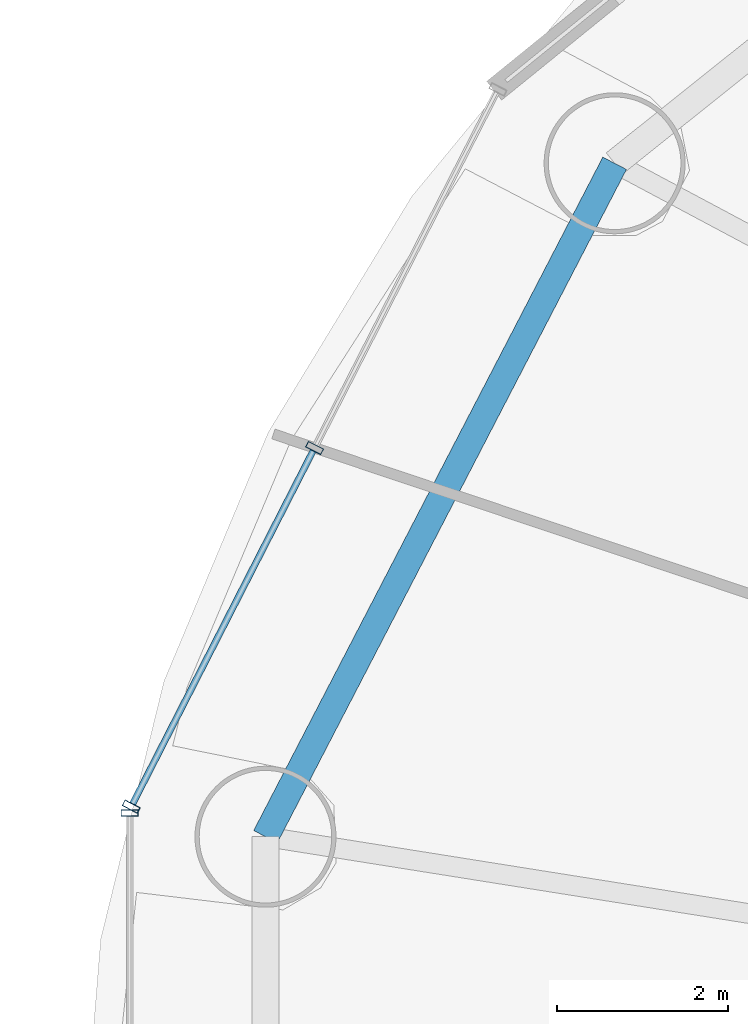
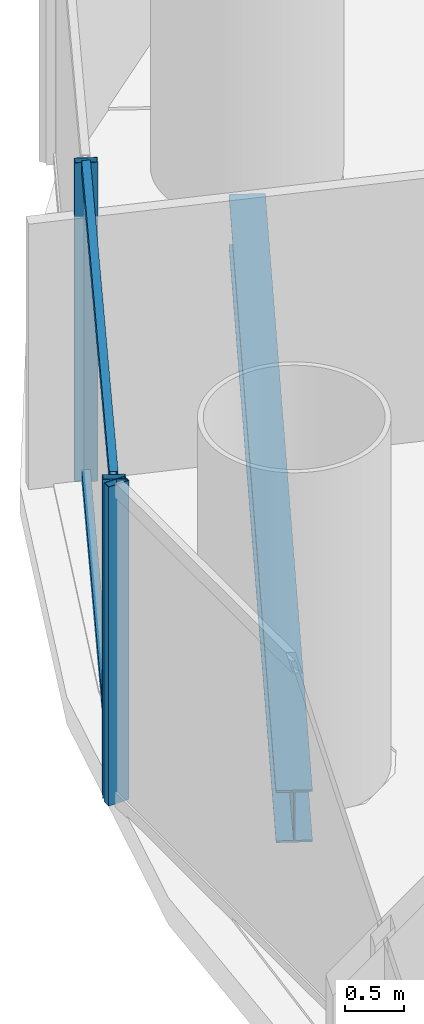
# One storey, part 9 of 30: 5 members, 1 beam, 2 elements without a shape of their own.
"""IFC4 building model written with IfcOpenShell, lengths in metres."""

from ifc_helpers import new_model, si_unit, direction, frame, origin, origin_2d, place, context, subcontext, project, spatial, hollow_rectangle, i_section, extrude, source, transform, mapped, material, material_profile, profile_set, type_object, element, aggregate, save


model = new_model("IFC4")

# Units and contexts
model_context = context("Model", 3, precision=1e-05, world=origin(), true_north=direction((-0.2419218956, 0.970295726276)))
body_context = subcontext(model_context, "Body", "Model", "MODEL_VIEW")
ifc_project = project(units=[si_unit("LENGTHUNIT", "METRE"), si_unit("AREAUNIT", "SQUARE_METRE"), si_unit("VOLUMEUNIT", "CUBIC_METRE"), si_unit("PLANEANGLEUNIT", "RADIAN"), si_unit("MASSUNIT", "GRAM", prefix="KILO")], contexts=[model_context])

# Site, building, storey
site_placement = place(None, origin())
site = spatial("IfcSite", under=ifc_project, at=site_placement, CompositionType="ELEMENT")
building_placement = place(site_placement, origin())
building = spatial("IfcBuilding", under=site, at=building_placement, Name="Cobrevalo Terracotta Tower", CompositionType="ELEMENT")
storey_placement = place(building_placement, frame((0.0, 0.0, 63.60009765625)))
storey = spatial("IfcBuildingStorey", under=building, at=storey_placement, Name="L16", CompositionType="ELEMENT", Elevation=63.60009765625)

# Beam
ifc_material_1 = material(Name="Steel S355", Category="steel")
ifc_material_profile_1 = material_profile(ifc_material_1, i_section(OverallWidth=0.31201171875, OverallDepth=0.54296875, WebThickness=0.0126953125, FlangeThickness=0.020263671875, at=origin_2d()), Name="W 530x150")
ifc_profile_set_1 = profile_set([ifc_material_profile_1], Name="Steel S355")
beam_type = type_object("IfcBeamType", Name="Structural Spandrel W 530x150 (Steel S355)", PredefinedType="SPANDREL", material=ifc_profile_set_1)
beam_placement = place(storey_placement, frame((15.25927734375, 38.939208984375, -0.551513671875), z_axis=(-0.460285838799, -0.88777077368, 0.0), x_axis=(0.88777077368, -0.460285838799, 0.0)))
element("IfcBeam", 1, at=beam_placement, inside=storey, type_object=beam_type, Name="L16 perimeter ring spandrel 07", PredefinedType="SPANDREL", context=body_context, shape_type="SweptSolid", body=[
    extrude(i_section(OverallWidth=0.31201171875, OverallDepth=0.54296875, WebThickness=0.0126953125, FlangeThickness=0.020263671875, at=origin_2d()), origin(), (0.0, 0.0, 1.0), 8.8720703125),
])

# Curtain wall, members
ifc_material_2 = material(Name="Anodized aluminium", Category="aluminium")
curtain_wall_type = type_object("IfcCurtainWallType", Name="Lower-tower unitised acoustic low-E curtain wall CW-U1", PredefinedType="NOTDEFINED", material=ifc_material_2)
curtain_wall_1_placement = place(storey_placement, origin())
curtain_wall_1 = element("IfcCurtainWall", 2, at=curtain_wall_1_placement, inside=storey, type_object=curtain_wall_type, Name="L16 curtain wall CW-L16-S07", PredefinedType="NOTDEFINED")
ifc_material_profile_2 = material_profile(ifc_material_2, hollow_rectangle(XDim=0.074951171875, YDim=0.199951171875, WallThickness=0.0048828125, at=origin_2d()), Name="CWM 75x200")
ifc_profile_set_2 = profile_set([ifc_material_profile_2], Name="Anodized aluminium")
member_type_1 = type_object("IfcMemberType", Name="Lower/mid tower unitised mullion 75x200", PredefinedType="MULLION", material=ifc_profile_set_2)
shared_shape_1 = source(origin(), body_context, "Body", "SweptSolid", [
    extrude(hollow_rectangle(XDim=0.074951171875, YDim=0.199951171875, WallThickness=0.0048828125, at=origin_2d()), origin(), (0.0, 0.0, 1.0), 3.31982421875),
])
member_1_placement = place(storey_placement, frame((11.74951171875, 35.60888671875, 0.0), z_axis=(0.0, 0.0, 1.0), x_axis=(-0.455234136597, -0.890371765543, 0.0)))
member_1 = element("IfcMember", 3, at=member_1_placement, type_object=member_type_1, Name="CW-L16-S07 vertical mullion 02", PredefinedType="MULLION", context=body_context, shape_type="MappedRepresentation", body=[
    mapped(shared_shape_1, transform((0.0, 0.0, 0.0), scale=1.0)),
])
member_2_placement = place(storey_placement, frame((9.60498046875, 31.414306640625, 0.0), z_axis=(0.0, 0.0, 1.0), x_axis=(-0.455234136597, -0.890371765543, 0.0)))
member_2 = element("IfcMember", 4, at=member_2_placement, type_object=member_type_1, Name="CW-L16-S07 vertical mullion 03", PredefinedType="MULLION", context=body_context, shape_type="MappedRepresentation", body=[
    mapped(shared_shape_1, transform((0.0, 0.0, 0.0), scale=1.0)),
])

# Curtain wall, member
curtain_wall_2_placement = place(storey_placement, origin())
curtain_wall_2 = element("IfcCurtainWall", 5, at=curtain_wall_2_placement, inside=storey, type_object=curtain_wall_type, Name="L16 curtain wall CW-L16-S08", PredefinedType="NOTDEFINED")
member_3_placement = place(storey_placement, frame((9.586669921875, 31.3388671875, 0.0), z_axis=(0.0, 0.0, 1.0), x_axis=(0.0, -1.0, 0.0)))
member_3 = element("IfcMember", 6, at=member_3_placement, type_object=member_type_1, Name="CW-L16-S08 vertical mullion 01", PredefinedType="MULLION", context=body_context, shape_type="MappedRepresentation", body=[
    mapped(shared_shape_1, transform((0.0, 0.0, 0.0), scale=1.0)),
])
aggregate(curtain_wall_2, [member_3])

# Member
ifc_material_profile_3 = material_profile(ifc_material_2, hollow_rectangle(XDim=0.074951171875, YDim=0.14990234375, WallThickness=0.00439453125, at=origin_2d()), Name="CWT 75x150")
ifc_profile_set_3 = profile_set([ifc_material_profile_3], Name="Anodized aluminium")
member_type_2 = type_object("IfcMemberType", Name="Tower unitised aluminium transom 75x150", PredefinedType="USERDEFINED", material=ifc_profile_set_3)
shared_shape_2 = source(origin(), body_context, "Body", "SweptSolid", [
    extrude(hollow_rectangle(XDim=0.074951171875, YDim=0.14990234375, WallThickness=0.00439453125, at=origin_2d()), origin(), (0.0, 0.0, 1.0), 4.631103515625),
])
member_4_placement = place(storey_placement, frame((11.731201171875, 35.573486328125, 0.0498046875), z_axis=(-0.455208584993, -0.890384829245, 0.0), x_axis=(0.890384829245, -0.455208584993, 0.0)))
member_4 = element("IfcMember", 7, at=member_4_placement, type_object=member_type_2, Name="CW-L16-S07 transom B02-T1", ObjectType="TRANSOM", PredefinedType="USERDEFINED", context=body_context, shape_type="MappedRepresentation", body=[
    mapped(shared_shape_2, transform((0.0, 0.0, 0.0), scale=1.0)),
])

member_5_placement = place(storey_placement, frame((11.731201171875, 35.573486328125, 3.27001953125), z_axis=(-0.455208584993, -0.890384829245, 0.0), x_axis=(0.890384829245, -0.455208584993, 0.0)))
member_5 = element("IfcMember", 8, at=member_5_placement, type_object=member_type_2, Name="CW-L16-S07 transom B02-T2", ObjectType="TRANSOM", PredefinedType="USERDEFINED", context=body_context, shape_type="MappedRepresentation", body=[
    mapped(shared_shape_2, transform((0.0, 0.0, 0.0), scale=1.0)),
])

aggregate(curtain_wall_1, [member_1, member_2, member_4, member_5])

save(model, "model.ifc")
